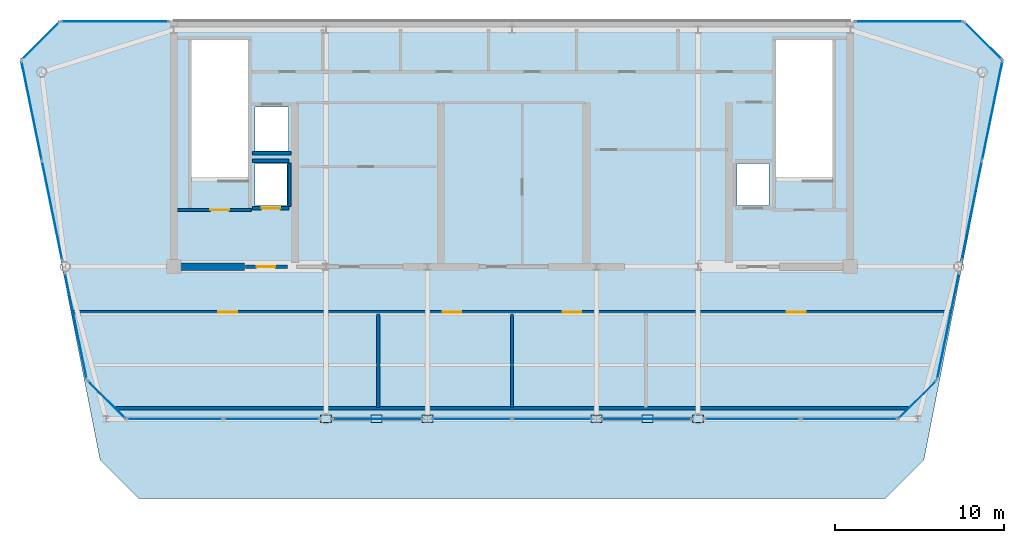
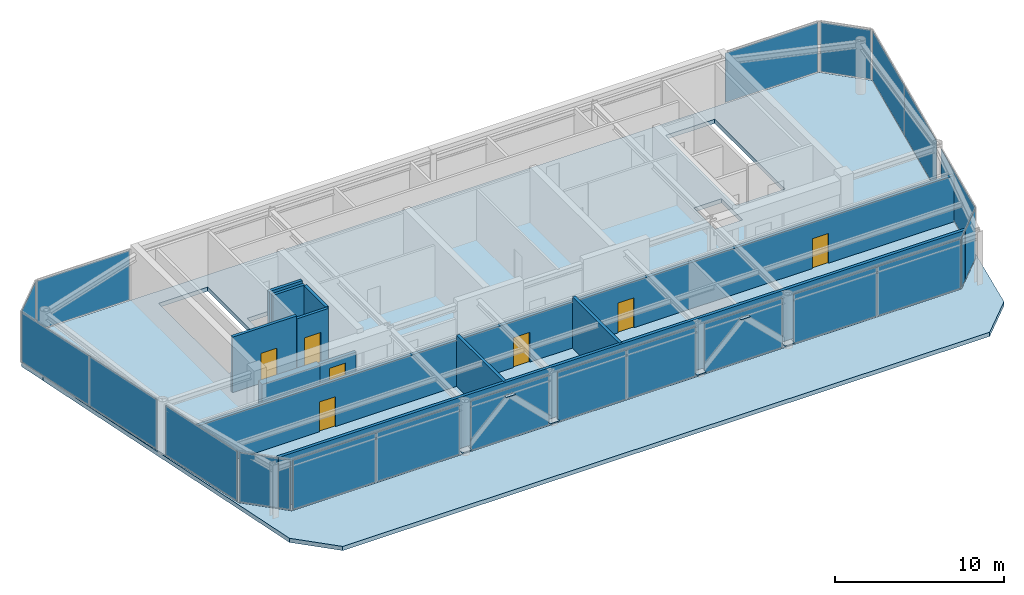
# One storey, part 5 of 7: 26 plates, 11 walls, 7 doors, 2 slabs, 7 openings, 15 elements without a shape of their own.
"""IFC4 building model written with IfcOpenShell, lengths in metres."""

import ifcopenshell
import ifcopenshell.guid

model = None  # the IFC model being written
_history = None  # IfcOwnerHistory: only IFC2X3 demands one
_inside = {}  # id of a spatial element -> (the spatial element, [elements in it])
_under = {}  # id of a project, library or spatial element -> (it, [spatial elements below it])
_declared = {}  # id of a project -> (the project, [libraries it declares])
_typed = {}  # id of a type object -> (the type object, [elements of that type])
_made_of = {}  # id of a material, layer set ... -> (it, [elements and type objects made of it])


def new_model(schema):
    """Start an empty IFC model of exactly this schema.

    Asked for "IFC4X3", IfcOpenShell would pick the latest addendum, in which some entities
    have other attributes; the version numbers below select the first issue.
    IFC2X3 requires an IfcOwnerHistory on every rooted entity: one is made here for all.
    """
    global model, _history
    if schema == "IFC4X3":
        model = ifcopenshell.file(schema_version=(4, 3, 0, 0))
    else:
        model = ifcopenshell.file(schema=schema)
    _inside.clear()
    _under.clear()
    _declared.clear()
    _typed.clear()
    _made_of.clear()
    _history = None
    if model.schema == "IFC2X3":
        org = make("IfcOrganization", Name="unknown")
        user = make(
            "IfcPersonAndOrganization",
            ThePerson=make("IfcPerson", FamilyName="unknown"),
            TheOrganization=org,
        )
        app = make(
            "IfcApplication",
            ApplicationDeveloper=org,
            Version="unknown",
            ApplicationFullName="unknown",
            ApplicationIdentifier="unknown",
        )
        _history = make(
            "IfcOwnerHistory",
            OwningUser=user,
            OwningApplication=app,
            ChangeAction="ADDED",
            CreationDate=0,
        )
    return model


def make(cls, **values):
    """One entity of the class cls with the attributes given. An attribute that is None is left unset."""
    return model.create_entity(
        cls, **{name: value for name, value in values.items() if value is not None}
    )


def rooted(cls, **values):
    """An entity with a GlobalId (a new one), such as an element, a storey or a relation."""
    return make(cls, GlobalId=ifcopenshell.guid.new(), OwnerHistory=_history, **values)


def si_unit(unit_type, name, prefix=None):
    """IfcSIUnit, for example si_unit("LENGTHUNIT", "METRE", prefix="MILLI")."""
    return make("IfcSIUnit", UnitType=unit_type, Prefix=prefix, Name=name)


def assignment(units):
    """IfcUnitAssignment: the units of a project."""
    return None if units is None else make("IfcUnitAssignment", Units=units)


def point(xyz):
    """IfcCartesianPoint."""
    return None if xyz is None else make("IfcCartesianPoint", Coordinates=xyz)


def direction(xyz):
    """IfcDirection."""
    return None if xyz is None else make("IfcDirection", DirectionRatios=xyz)


def frame(location, z_axis=None, x_axis=None):
    """IfcAxis2Placement3D, a coordinate frame: its origin and axes. An axis left out is left unset."""
    return make(
        "IfcAxis2Placement3D",
        Location=point(location),
        Axis=direction(z_axis),
        RefDirection=direction(x_axis),
    )


def frame_2d(location, x_axis=None):
    """IfcAxis2Placement2D, a coordinate frame in the plane: its origin and x axis."""
    return make(
        "IfcAxis2Placement2D", Location=point(location), RefDirection=direction(x_axis)
    )


def origin():
    """The frame at (0, 0, 0) with its axes left unset."""
    return frame((0.0, 0.0, 0.0))


def origin_2d():
    """The frame at (0, 0) in the plane with its x axis left unset."""
    return frame_2d((0.0, 0.0))


def place(relative_to, where):
    """IfcLocalPlacement: puts the frame where relative to a parent placement (None: the world)."""
    return make(
        "IfcLocalPlacement", PlacementRelTo=relative_to, RelativePlacement=where
    )


def context(
    kind, dimensions, precision=None, world=None, true_north=None, identifier=None
):
    """IfcGeometricRepresentationContext, for example the 3D "Model" context."""
    return make(
        "IfcGeometricRepresentationContext",
        ContextIdentifier=identifier,
        ContextType=kind,
        CoordinateSpaceDimension=dimensions,
        Precision=precision,
        WorldCoordinateSystem=world,
        TrueNorth=true_north,
    )


def subcontext(parent, identifier, kind, view, scale=None):
    """IfcGeometricRepresentationSubContext, for example "Body" below "Model"."""
    return make(
        "IfcGeometricRepresentationSubContext",
        ContextIdentifier=identifier,
        ContextType=kind,
        ParentContext=parent,
        TargetScale=scale,
        TargetView=view,
    )


def project(units=None, contexts=None):
    """IfcProject with its units and contexts."""
    return rooted(
        "IfcProject",
        Name="project",
        RepresentationContexts=contexts,
        UnitsInContext=assignment(units),
    )


def spatial(cls, under=None, at=None, **own):
    """A site, building, storey or space (cls), placed at a placement, below another one or the project."""
    s = rooted(cls, ObjectPlacement=at, **own)
    if under is not None:
        _under.setdefault(under.id(), (under, []))[1].append(s)
    return s


def polyline(points):
    """IfcPolyline through the points."""
    return make("IfcPolyline", Points=[point(p) for p in points])


def profile(cls, at=None, kind="AREA", **sizes):
    """A parametric profile (cls). Its sizes go by their IFC names, for example OverallWidth=200.0."""
    return make(cls, ProfileType=kind, Position=at, **sizes)


def rectangle(**sizes):
    """IfcRectangleProfileDef."""
    return profile("IfcRectangleProfileDef", **sizes)


def outline(outer, holes=None, kind="AREA"):
    """IfcArbitraryClosedProfileDef: a profile drawn as a closed curve; with holes, ...WithVoids."""
    if holes is None:
        return make("IfcArbitraryClosedProfileDef", ProfileType=kind, OuterCurve=outer)
    return make(
        "IfcArbitraryProfileDefWithVoids",
        ProfileType=kind,
        OuterCurve=outer,
        InnerCurves=holes,
    )


def extrude(swept, where, along, depth):
    """IfcExtrudedAreaSolid: the profile swept, set in the frame where, extruded along a direction by depth."""
    return make(
        "IfcExtrudedAreaSolid",
        SweptArea=swept,
        Position=where,
        ExtrudedDirection=direction(along),
        Depth=depth,
    )


def shape(context_of_items, identifier, shape_type, items):
    """IfcShapeRepresentation: the items that make up one representation, for example the "Body"."""
    return make(
        "IfcShapeRepresentation",
        ContextOfItems=context_of_items,
        RepresentationIdentifier=identifier,
        RepresentationType=shape_type,
        Items=items,
    )


def source(mapping_origin, context_of_items, identifier, shape_type, items):
    """IfcRepresentationMap: a shape defined once, which mapped items show again and again."""
    return make(
        "IfcRepresentationMap",
        MappingOrigin=mapping_origin,
        MappedRepresentation=shape(context_of_items, identifier, shape_type, items),
    )


def transform(
    local_origin,
    x_axis=None,
    y_axis=None,
    z_axis=None,
    scale=None,
    scale2=None,
    scale3=None,
    uniform=True,
):
    """IfcCartesianTransformationOperator3D, or its non-uniform kind. x_axis, y_axis, z_axis: its Axis1, 2, 3."""
    if uniform:
        return make(
            "IfcCartesianTransformationOperator3D",
            Axis1=direction(x_axis),
            Axis2=direction(y_axis),
            LocalOrigin=point(local_origin),
            Scale=scale,
            Axis3=direction(z_axis),
        )
    return make(
        "IfcCartesianTransformationOperator3DnonUniform",
        Axis1=direction(x_axis),
        Axis2=direction(y_axis),
        LocalOrigin=point(local_origin),
        Scale=scale,
        Axis3=direction(z_axis),
        Scale2=scale2,
        Scale3=scale3,
    )


def mapped(mapping_source, mapping_target):
    """IfcMappedItem: shows the shape of a source again, moved by a transform."""
    return make(
        "IfcMappedItem", MappingSource=mapping_source, MappingTarget=mapping_target
    )


def material(Name=None, Category=None):
    """IfcMaterial."""
    return make("IfcMaterial", Name=Name, Category=Category)


def layer(
    of_material, thickness, ventilated=None, Name=None, Category=None, Priority=None
):
    """IfcMaterialLayer: one layer of a wall or slab, of a material (None: an air gap)."""
    return make(
        "IfcMaterialLayer",
        Material=of_material,
        LayerThickness=thickness,
        IsVentilated=ventilated,
        Name=Name,
        Category=Category,
        Priority=Priority,
    )


def layer_set(layers, Name=None):
    """IfcMaterialLayerSet."""
    return make("IfcMaterialLayerSet", MaterialLayers=layers, LayerSetName=Name)


def made_of(thing, what):
    """Note that an element or type object is made of a material, layer set ...; save() writes the relation."""
    if what is not None:
        _made_of.setdefault(what.id(), (what, []))[1].append(thing)
    return thing


def type_object(cls, material=None, **own):
    """A type object (cls), such as IfcWallType, which elements share."""
    return made_of(rooted(cls, **own), material)


def element(
    cls,
    number,
    at=None,
    inside=None,
    cuts=None,
    type_object=None,
    material=None,
    context=None,
    identifier="Body",
    shape_type=None,
    held_by="IfcProductDefinitionShape",
    body=None,
    shapes=None,
    **own,
):
    """One element of the class cls, such as IfcWall. Its Tag is "e" and its number.

    at: its placement. inside: the storey or other place that contains it. cuts: it is an
    opening in that element (IfcRelVoidsElement). A single representation is given by context,
    identifier, shape_type and body (its items); several are given by shapes. held_by: the class
    of the entity that holds the representations. save() writes the other relations.
    """
    e = rooted(cls, Tag="e%d" % number, ObjectPlacement=at, **own)
    if body is not None:
        shapes = [shape(context, identifier, shape_type, body)]
    if shapes is not None:
        e.Representation = make(held_by, Representations=shapes)
    if inside is not None:
        _inside.setdefault(inside.id(), (inside, []))[1].append(e)
    if cuts is not None:
        rooted(
            "IfcRelVoidsElement", RelatingBuildingElement=cuts, RelatedOpeningElement=e
        )
    if type_object is not None:
        _typed.setdefault(type_object.id(), (type_object, []))[1].append(e)
    return made_of(e, material)


def fill(opening, filler):
    """IfcRelFillsElement: the door or window that sits in an opening."""
    return rooted(
        "IfcRelFillsElement",
        RelatingOpeningElement=opening,
        RelatedBuildingElement=filler,
    )


def aggregate(whole, parts):
    """IfcRelAggregates: a whole, such as a stair, and the parts it consists of."""
    return rooted("IfcRelAggregates", RelatingObject=whole, RelatedObjects=parts)


def save(model, path):
    """Write the relations noted so far, then the file.

    IfcRelAggregates (storeys below a building ...), IfcRelContainedInSpatialStructure (elements
    in a storey), IfcRelDefinesByType, IfcRelAssociatesMaterial and IfcRelDeclares: one each for
    every whole, place, type object, material and project.
    """
    for whole, parts in _under.values():
        aggregate(whole, parts)
    for where, things in _inside.values():
        rooted(
            "IfcRelContainedInSpatialStructure",
            RelatedElements=things,
            RelatingStructure=where,
        )
    for kind, things in _typed.values():
        rooted("IfcRelDefinesByType", RelatedObjects=things, RelatingType=kind)
    for what, things in _made_of.values():
        rooted("IfcRelAssociatesMaterial", RelatedObjects=things, RelatingMaterial=what)
    for by, libraries in _declared.values():
        rooted("IfcRelDeclares", RelatingContext=by, RelatedDefinitions=libraries)
    model.write(path)


model = new_model("IFC4")

# Units and contexts
model_context = context("Model", 3, precision=1e-05, world=origin(), true_north=direction((0.0, 1.0)))
body_context = subcontext(model_context, "Body", "Model", "MODEL_VIEW")
ifc_project = project(units=[si_unit("LENGTHUNIT", "METRE"), si_unit("AREAUNIT", "SQUARE_METRE"), si_unit("VOLUMEUNIT", "CUBIC_METRE"), si_unit("PLANEANGLEUNIT", "RADIAN"), si_unit("MASSUNIT", "GRAM", prefix="KILO")], contexts=[model_context])

# Site, building, storey
site_placement = place(None, origin())
site = spatial("IfcSite", under=ifc_project, at=site_placement, CompositionType="ELEMENT")
building_placement = place(site_placement, origin())
building = spatial("IfcBuilding", under=site, at=building_placement, Name="Vaeldorn Concourse Tower", CompositionType="ELEMENT")
storey_placement = place(building_placement, frame((0.0, 0.0, 312.800048828125)))
storey = spatial("IfcBuildingStorey", under=building, at=storey_placement, Name="L80", CompositionType="ELEMENT", Elevation=312.800048828125)

# Slabs
ifc_material_1 = material(Name="Concrete C40/50", Category="concrete")
ifc_layer_1 = layer(ifc_material_1, 0.300048828125)
ifc_layer_set_1 = layer_set([ifc_layer_1], Name="Concrete C40/50")
slab_type_1 = type_object("IfcSlabType", Name="SL-CROWN-ROOF", PredefinedType="ROOF", material=ifc_layer_set_1)
slab_1_placement = place(storey_placement, frame((0.0, 0.0, -0.300048828125)))
element("IfcSlab", 1, at=slab_1_placement, inside=storey, type_object=slab_type_1, Name="Stepped Crown Terrace Roof Slab L80", PredefinedType="ROOF", context=body_context, shape_type="SweptSolid", body=[
    extrude(outline(polyline([(62.62255859375, 46.785400390625), (59.13720703125, 29.797119140625), (59.13671875, 29.795654296875), (59.13623046875, 29.794189453125), (59.1357421875, 29.79296875), (59.135009765625, 29.79150390625), (59.134033203125, 29.79052734375), (59.133056640625, 29.789306640625), (56.8330078125, 27.489501953125), (56.83203125, 27.48828125), (56.830810546875, 27.487548828125), (56.82958984375, 27.48681640625), (56.828125, 27.486083984375), (56.826904296875, 27.485595703125), (56.825439453125, 27.4853515625), (56.823974609375, 27.485107421875), (56.822509765625, 27.485107421875), (11.177490234375, 27.485107421875), (11.176025390625, 27.485107421875), (11.174560546875, 27.4853515625), (11.173095703125, 27.485595703125), (11.171875, 27.486083984375), (11.17041015625, 27.48681640625), (11.169189453125, 27.487548828125), (11.16796875, 27.48828125), (11.1669921875, 27.489501953125), (8.866943359375, 29.789306640625), (8.865966796875, 29.79052734375), (8.864990234375, 29.79150390625), (8.8642578125, 29.79296875), (8.86376953125, 29.794189453125), (8.86328125, 29.795654296875), (8.86279296875, 29.797119140625), (5.37744140625, 46.785400390625), (9.653076171875, 25.10009765625), (11.952880859375, 22.800048828125), (56.047119140625, 22.800048828125), (58.346923828125, 25.10009765625), (62.62255859375, 46.785400390625)])), origin(), (0.0, 0.0, 1.0), 0.300048828125),
])
ifc_layer_2 = layer(ifc_material_1, 0.260009765625)
ifc_layer_set_2 = layer_set([ifc_layer_2], Name="Concrete C40/50")
slab_type_2 = type_object("IfcSlabType", Name="SL-TRN-260", PredefinedType="FLOOR", material=ifc_layer_set_2)
slab_2_placement = place(storey_placement, frame((0.0, 0.0, -0.300048828125)))
element("IfcSlab", 2, at=slab_2_placement, inside=storey, type_object=slab_type_2, Name="Structural Floor Slab L80", PredefinedType="FLOOR", context=body_context, shape_type="SweptSolid", body=[
    extrude(outline(polyline([(11.177490234375, 27.5), (56.822509765625, 27.5), (59.12255859375, 29.800048828125), (63.0, 48.699951171875), (60.699951171875, 51.0), (7.300048828125, 51.0), (5.0, 48.699951171875), (8.87744140625, 29.800048828125), (11.177490234375, 27.5)]), holes=[polyline([(18.39990234375, 41.60009765625), (18.39990234375, 49.89990234375), (15.050048828125, 49.89990234375), (15.050048828125, 41.60009765625), (18.39990234375, 41.60009765625)]), polyline([(52.949951171875, 41.60009765625), (52.949951171875, 49.89990234375), (49.60009765625, 49.89990234375), (49.60009765625, 41.60009765625), (52.949951171875, 41.60009765625)]), polyline([(18.800048828125, 43.35009765625), (20.800048828125, 43.35009765625), (20.800048828125, 45.949951171875), (18.800048828125, 45.949951171875), (18.800048828125, 43.35009765625)]), polyline([(18.800048828125, 40.10009765625), (20.699951171875, 40.10009765625), (20.699951171875, 42.60009765625), (18.800048828125, 42.60009765625), (18.800048828125, 40.10009765625)]), polyline([(47.300048828125, 40.10009765625), (49.199951171875, 40.10009765625), (49.199951171875, 42.60009765625), (47.300048828125, 42.60009765625), (47.300048828125, 40.10009765625)])]), origin(), (0.0, 0.0, 1.0), 0.300048828125),
])

# Plates
ifc_material_2 = material(Name="Steel S460", Category="steel")
ifc_layer_3 = layer(ifc_material_2, 0.034912109375)
ifc_layer_set_3 = layer_set([ifc_layer_3], Name="Steel S460")
plate_type_1 = type_object("IfcPlateType", Name="PL-GUSSET-KN1", PredefinedType="USERDEFINED", material=ifc_layer_set_3)
shared_shape_1 = source(origin(), body_context, "Body", "SweptSolid", [
    extrude(rectangle(XDim=0.64990234375, YDim=0.449951171875, at=origin_2d()), origin(), (0.0, 0.0, 1.0), 0.034912109375),
])
for number, where, z_axis, x_axis, name in (
    (3, (23.0, 27.5, 0.232421875), (0.0, 0.0, 1.0), (1.0, 0.0, 0.0), "Structural Brace Connection Gusset L80-01"),
    (4, (26.0, 27.5, 3.1826171875), (0.0, 0.0, 1.0), (1.0, 0.0, 0.0), "Structural Brace Connection Gusset L80-02"),
    (5, (29.0, 27.5, 0.232421875), (0.0, 0.0, 1.0), (1.0, 0.0, 0.0), "Structural Brace Connection Gusset L80-03"),
    (6, (39.0, 27.5, 0.232421875), (0.0, 0.0, 1.0), (1.0, 0.0, 0.0), "Structural Brace Connection Gusset L80-04"),
    (7, (42.0, 27.5, 3.1826171875), (0.0, 0.0, 1.0), (1.0, 0.0, 0.0), "Structural Brace Connection Gusset L80-05"),
    (8, (45.0, 27.5, 0.232421875), (0.0, 0.0, 1.0), (1.0, 0.0, 0.0), "Structural Brace Connection Gusset L80-06"),
):
    element("IfcPlate", number, at=place(storey_placement, frame(where, z_axis=z_axis, x_axis=x_axis)), inside=storey, type_object=plate_type_1, Name=name, ObjectType="GUSSET PLATE", PredefinedType="USERDEFINED", context=body_context, shape_type="MappedRepresentation", body=[
        mapped(shared_shape_1, transform((0.0, 0.0, 0.0), scale=1.0)),
    ])

# Curtain wall, plates
ifc_material_3 = material(Name="Anodised Bronze Aluminium", Category="aluminium")
ifc_layer_4 = layer(ifc_material_3, 0.22998046875)
ifc_layer_set_4 = layer_set([ifc_layer_4], Name="Anodised Bronze Aluminium")
curtain_wall_type = type_object("IfcCurtainWallType", Name="CW-SYS-07", PredefinedType="NOTDEFINED", material=ifc_layer_set_4)
curtain_wall_1_placement = place(storey_placement, origin())
curtain_wall_1 = element("IfcCurtainWall", 9, at=curtain_wall_1_placement, inside=storey, type_object=curtain_wall_type, Name="Unitised Curtain Wall CW-L80-E01-1", PredefinedType="NOTDEFINED")
ifc_material_4 = material(Name="Bronze Fritted Spandrel Insulated Glass", Category="glass")
ifc_layer_5 = layer(ifc_material_4, 0.035888671875)
ifc_layer_set_5 = layer_set([ifc_layer_5], Name="Bronze Fritted Spandrel Insulated Glass")
plate_type_2 = type_object("IfcPlateType", Name="CWP-SPANDREL-36", PredefinedType="CURTAIN_PANEL", material=ifc_layer_set_5)
shared_shape_2 = source(origin(), body_context, "Body", "SweptSolid", [
    extrude(rectangle(XDim=5.641357421875, YDim=0.035888671875, at=origin_2d()), origin(), (0.0, 0.0, 1.0), 3.550048828125),
])
plate_1_placement = place(storey_placement, frame((14.0732421875, 27.5, 0.07470703125), z_axis=(0.0, 0.0, 1.0), x_axis=(1.0, 0.0, 0.0)))
plate_1 = element("IfcPlate", 10, at=plate_1_placement, type_object=plate_type_2, Name="CW-07 panel 1.1", PredefinedType="CURTAIN_PANEL", context=body_context, shape_type="MappedRepresentation", body=[
    mapped(shared_shape_2, transform((0.0, 0.0, 0.0), scale=1.0)),
])
plate_2_placement = place(storey_placement, frame((19.789306640625, 27.5, 0.07470703125), z_axis=(0.0, 0.0, 1.0), x_axis=(1.0, 0.0, 0.0)))
plate_2 = element("IfcPlate", 11, at=plate_2_placement, type_object=plate_type_2, Name="CW-07 panel 2.1", PredefinedType="CURTAIN_PANEL", context=body_context, shape_type="MappedRepresentation", body=[
    mapped(shared_shape_2, transform((0.0, 0.0, 0.0), scale=1.0)),
])
aggregate(curtain_wall_1, [plate_1, plate_2])

curtain_wall_2_placement = place(storey_placement, origin())
curtain_wall_2 = element("IfcCurtainWall", 12, at=curtain_wall_2_placement, inside=storey, type_object=curtain_wall_type, Name="Unitised Curtain Wall CW-L80-E01-5", PredefinedType="NOTDEFINED")
plate_3_placement = place(storey_placement, frame((48.210693359375, 27.5, 0.07470703125), z_axis=(0.0, 0.0, 1.0), x_axis=(1.0, 0.0, 0.0)))
plate_3 = element("IfcPlate", 13, at=plate_3_placement, type_object=plate_type_2, Name="CW-07 panel 1.1", PredefinedType="CURTAIN_PANEL", context=body_context, shape_type="MappedRepresentation", body=[
    mapped(shared_shape_2, transform((0.0, 0.0, 0.0), scale=1.0)),
])
plate_4_placement = place(storey_placement, frame((53.9267578125, 27.5, 0.07470703125), z_axis=(0.0, 0.0, 1.0), x_axis=(1.0, 0.0, 0.0)))
plate_4 = element("IfcPlate", 14, at=plate_4_placement, type_object=plate_type_2, Name="CW-07 panel 2.1", PredefinedType="CURTAIN_PANEL", context=body_context, shape_type="MappedRepresentation", body=[
    mapped(shared_shape_2, transform((0.0, 0.0, 0.0), scale=1.0)),
])
aggregate(curtain_wall_2, [plate_3, plate_4])

# Curtain wall, plate
curtain_wall_3_placement = place(storey_placement, origin())
curtain_wall_3 = element("IfcCurtainWall", 15, at=curtain_wall_3_placement, inside=storey, type_object=curtain_wall_type, Name="Unitised Curtain Wall CW-L80-E01-2", PredefinedType="NOTDEFINED")
shared_shape_3 = source(origin(), body_context, "Body", "SweptSolid", [
    extrude(rectangle(XDim=5.325927734375, YDim=0.035888671875, at=origin_2d()), origin(), (0.0, 0.0, 1.0), 3.550048828125),
])
plate_5_placement = place(storey_placement, frame((26.052978515625, 27.5, 0.07470703125), z_axis=(0.0, 0.0, 1.0), x_axis=(1.0, 0.0, 0.0)))
plate_5 = element("IfcPlate", 16, at=plate_5_placement, type_object=plate_type_2, Name="CW-07 panel 1.1", PredefinedType="CURTAIN_PANEL", context=body_context, shape_type="MappedRepresentation", body=[
    mapped(shared_shape_3, transform((0.0, 0.0, 0.0), scale=1.0)),
])
aggregate(curtain_wall_3, [plate_5])

curtain_wall_4_placement = place(storey_placement, origin())
curtain_wall_4 = element("IfcCurtainWall", 17, at=curtain_wall_4_placement, inside=storey, type_object=curtain_wall_type, Name="Unitised Curtain Wall CW-L80-E01-4", PredefinedType="NOTDEFINED")
plate_6_placement = place(storey_placement, frame((41.947021484375, 27.5, 0.07470703125), z_axis=(0.0, 0.0, 1.0), x_axis=(1.0, 0.0, 0.0)))
plate_6 = element("IfcPlate", 18, at=plate_6_placement, type_object=plate_type_2, Name="CW-07 panel 1.1", PredefinedType="CURTAIN_PANEL", context=body_context, shape_type="MappedRepresentation", body=[
    mapped(shared_shape_3, transform((0.0, 0.0, 0.0), scale=1.0)),
])
aggregate(curtain_wall_4, [plate_6])

# Curtain wall, plates
curtain_wall_5_placement = place(storey_placement, origin())
curtain_wall_5 = element("IfcCurtainWall", 19, at=curtain_wall_5_placement, inside=storey, type_object=curtain_wall_type, Name="Unitised Curtain Wall CW-L80-E01-3", PredefinedType="NOTDEFINED")
shared_shape_4 = source(origin(), body_context, "Body", "SweptSolid", [
    extrude(rectangle(XDim=4.678466796875, YDim=0.035888671875, at=origin_2d()), origin(), (0.0, 0.0, 1.0), 3.550048828125),
])
plate_7_placement = place(storey_placement, frame((31.623291015625, 27.5, 0.07470703125), z_axis=(0.0, 0.0, 1.0), x_axis=(1.0, 0.0, 0.0)))
plate_7 = element("IfcPlate", 20, at=plate_7_placement, type_object=plate_type_2, Name="CW-07 panel 1.1", PredefinedType="CURTAIN_PANEL", context=body_context, shape_type="MappedRepresentation", body=[
    mapped(shared_shape_4, transform((0.0, 0.0, 0.0), scale=1.0)),
])
plate_8_placement = place(storey_placement, frame((36.376708984375, 27.5, 0.07470703125), z_axis=(0.0, 0.0, 1.0), x_axis=(1.0, 0.0, 0.0)))
plate_8 = element("IfcPlate", 21, at=plate_8_placement, type_object=plate_type_2, Name="CW-07 panel 2.1", PredefinedType="CURTAIN_PANEL", context=body_context, shape_type="MappedRepresentation", body=[
    mapped(shared_shape_4, transform((0.0, 0.0, 0.0), scale=1.0)),
])
aggregate(curtain_wall_5, [plate_7, plate_8])

# Curtain wall, plate
curtain_wall_6_placement = place(storey_placement, origin())
curtain_wall_6 = element("IfcCurtainWall", 22, at=curtain_wall_6_placement, inside=storey, type_object=curtain_wall_type, Name="Unitised Curtain Wall CW-L80-E02-1", PredefinedType="NOTDEFINED")
shared_shape_5 = source(origin(), body_context, "Body", "SweptSolid", [
    extrude(rectangle(XDim=3.102783203125, YDim=0.035888671875, at=origin_2d()), origin(), (0.0, 0.0, 1.0), 3.550048828125),
])
plate_9_placement = place(storey_placement, frame((57.972412109375, 28.64990234375, 0.07470703125), z_axis=(0.0, 0.0, 1.0), x_axis=(0.707106781187, 0.707106781187, 0.0)))
plate_9 = element("IfcPlate", 23, at=plate_9_placement, type_object=plate_type_2, Name="CW-07 panel 1.1", PredefinedType="CURTAIN_PANEL", context=body_context, shape_type="MappedRepresentation", body=[
    mapped(shared_shape_5, transform((0.0, 0.0, 0.0), scale=1.0)),
])
aggregate(curtain_wall_6, [plate_9])

curtain_wall_7_placement = place(storey_placement, origin())
curtain_wall_7 = element("IfcCurtainWall", 24, at=curtain_wall_7_placement, inside=storey, type_object=curtain_wall_type, Name="Unitised Curtain Wall CW-L80-E04-1", PredefinedType="NOTDEFINED")
plate_10_placement = place(storey_placement, frame((61.85009765625, 49.85009765625, 0.07470703125), z_axis=(0.0, 0.0, 1.0), x_axis=(-0.707106781187, 0.707106781187, 0.0)))
plate_10 = element("IfcPlate", 25, at=plate_10_placement, type_object=plate_type_2, Name="CW-07 panel 1.1", PredefinedType="CURTAIN_PANEL", context=body_context, shape_type="MappedRepresentation", body=[
    mapped(shared_shape_5, transform((0.0, 0.0, 0.0), scale=1.0)),
])
aggregate(curtain_wall_7, [plate_10])

curtain_wall_8_placement = place(storey_placement, origin())
curtain_wall_8 = element("IfcCurtainWall", 26, at=curtain_wall_8_placement, inside=storey, type_object=curtain_wall_type, Name="Unitised Curtain Wall CW-L80-E06-1", PredefinedType="NOTDEFINED")
plate_11_placement = place(storey_placement, frame((6.14990234375, 49.85009765625, 0.07470703125), z_axis=(0.0, 0.0, 1.0), x_axis=(-0.707106781187, -0.707106781187, 0.0)))
plate_11 = element("IfcPlate", 27, at=plate_11_placement, type_object=plate_type_2, Name="CW-07 panel 1.1", PredefinedType="CURTAIN_PANEL", context=body_context, shape_type="MappedRepresentation", body=[
    mapped(shared_shape_5, transform((0.0, 0.0, 0.0), scale=1.0)),
])
aggregate(curtain_wall_8, [plate_11])

curtain_wall_9_placement = place(storey_placement, origin())
curtain_wall_9 = element("IfcCurtainWall", 28, at=curtain_wall_9_placement, inside=storey, type_object=curtain_wall_type, Name="Unitised Curtain Wall CW-L80-E08-1", PredefinedType="NOTDEFINED")
plate_12_placement = place(storey_placement, frame((10.027587890625, 28.64990234375, 0.07470703125), z_axis=(0.0, 0.0, 1.0), x_axis=(0.707106781187, -0.707106781187, 0.0)))
plate_12 = element("IfcPlate", 29, at=plate_12_placement, type_object=plate_type_2, Name="CW-07 panel 1.1", PredefinedType="CURTAIN_PANEL", context=body_context, shape_type="MappedRepresentation", body=[
    mapped(shared_shape_5, transform((0.0, 0.0, 0.0), scale=1.0)),
])
aggregate(curtain_wall_9, [plate_12])

curtain_wall_10_placement = place(storey_placement, origin())
curtain_wall_10 = element("IfcCurtainWall", 30, at=curtain_wall_10_placement, inside=storey, type_object=curtain_wall_type, Name="Unitised Curtain Wall CW-L80-E03-1", PredefinedType="NOTDEFINED")
shared_shape_6 = source(origin(), body_context, "Body", "SweptSolid", [
    extrude(rectangle(XDim=6.367919921875, YDim=0.035888671875, at=origin_2d()), origin(), (0.0, 0.0, 1.0), 3.550048828125),
])
plate_13_placement = place(storey_placement, frame((59.77734375, 32.992431640625, 0.07470703125), z_axis=(0.0, 0.0, 1.0), x_axis=(0.200967171457, 0.979597976721, 0.0)))
plate_13 = element("IfcPlate", 31, at=plate_13_placement, type_object=plate_type_2, Name="CW-07 panel 1.1", PredefinedType="CURTAIN_PANEL", context=body_context, shape_type="MappedRepresentation", body=[
    mapped(shared_shape_6, transform((0.0, 0.0, 0.0), scale=1.0)),
])
aggregate(curtain_wall_10, [plate_13])

curtain_wall_11_placement = place(storey_placement, origin())
curtain_wall_11 = element("IfcCurtainWall", 32, at=curtain_wall_11_placement, inside=storey, type_object=curtain_wall_type, Name="Unitised Curtain Wall CW-L80-E07-2", PredefinedType="NOTDEFINED")
plate_14_placement = place(storey_placement, frame((8.22265625, 32.992431640625, 0.07470703125), z_axis=(0.0, 0.0, 1.0), x_axis=(0.200967171457, -0.979597976721, 0.0)))
plate_14 = element("IfcPlate", 33, at=plate_14_placement, type_object=plate_type_2, Name="CW-07 panel 1.1", PredefinedType="CURTAIN_PANEL", context=body_context, shape_type="MappedRepresentation", body=[
    mapped(shared_shape_6, transform((0.0, 0.0, 0.0), scale=1.0)),
])
aggregate(curtain_wall_11, [plate_14])

# Curtain wall, plates
curtain_wall_12_placement = place(storey_placement, origin())
curtain_wall_12 = element("IfcCurtainWall", 34, at=curtain_wall_12_placement, inside=storey, type_object=curtain_wall_type, Name="Unitised Curtain Wall CW-L80-E03-2", PredefinedType="NOTDEFINED")
shared_shape_7 = source(origin(), body_context, "Body", "SweptSolid", [
    extrude(rectangle(XDim=5.953857421875, YDim=0.035888671875, at=origin_2d()), origin(), (0.0, 0.0, 1.0), 3.550048828125),
])
plate_15_placement = place(storey_placement, frame((61.175048828125, 39.8046875, 0.07470703125), z_axis=(0.0, 0.0, 1.0), x_axis=(0.20097192824, 0.979597000842, 0.0)))
plate_15 = element("IfcPlate", 35, at=plate_15_placement, type_object=plate_type_2, Name="CW-07 panel 1.1", PredefinedType="CURTAIN_PANEL", context=body_context, shape_type="MappedRepresentation", body=[
    mapped(shared_shape_7, transform((0.0, 0.0, 0.0), scale=1.0)),
])
plate_16_placement = place(storey_placement, frame((62.38671875, 45.71044921875, 0.07470703125), z_axis=(0.0, 0.0, 1.0), x_axis=(0.20097192824, 0.979597000842, 0.0)))
plate_16 = element("IfcPlate", 36, at=plate_16_placement, type_object=plate_type_2, Name="CW-07 panel 2.1", PredefinedType="CURTAIN_PANEL", context=body_context, shape_type="MappedRepresentation", body=[
    mapped(shared_shape_7, transform((0.0, 0.0, 0.0), scale=1.0)),
])
aggregate(curtain_wall_12, [plate_15, plate_16])

curtain_wall_13_placement = place(storey_placement, origin())
curtain_wall_13 = element("IfcCurtainWall", 37, at=curtain_wall_13_placement, inside=storey, type_object=curtain_wall_type, Name="Unitised Curtain Wall CW-L80-E07-1", PredefinedType="NOTDEFINED")
plate_17_placement = place(storey_placement, frame((5.61328125, 45.71044921875, 0.07470703125), z_axis=(0.0, 0.0, 1.0), x_axis=(0.20097192824, -0.979597000842, 0.0)))
plate_17 = element("IfcPlate", 38, at=plate_17_placement, type_object=plate_type_2, Name="CW-07 panel 1.1", PredefinedType="CURTAIN_PANEL", context=body_context, shape_type="MappedRepresentation", body=[
    mapped(shared_shape_7, transform((0.0, 0.0, 0.0), scale=1.0)),
])
plate_18_placement = place(storey_placement, frame((6.824951171875, 39.8046875, 0.07470703125), z_axis=(0.0, 0.0, 1.0), x_axis=(0.20097192824, -0.979597000842, 0.0)))
plate_18 = element("IfcPlate", 39, at=plate_18_placement, type_object=plate_type_2, Name="CW-07 panel 2.1", PredefinedType="CURTAIN_PANEL", context=body_context, shape_type="MappedRepresentation", body=[
    mapped(shared_shape_7, transform((0.0, 0.0, 0.0), scale=1.0)),
])
aggregate(curtain_wall_13, [plate_17, plate_18])

# Curtain wall, plate
curtain_wall_14_placement = place(storey_placement, origin())
curtain_wall_14 = element("IfcCurtainWall", 40, at=curtain_wall_14_placement, inside=storey, type_object=curtain_wall_type, Name="Unitised Curtain Wall CW-L80-E05-1", PredefinedType="NOTDEFINED")
shared_shape_8 = source(origin(), body_context, "Body", "SweptSolid", [
    extrude(rectangle(XDim=6.330078125, YDim=0.035888671875, at=origin_2d()), origin(), (0.0, 0.0, 1.0), 3.550048828125),
])
plate_19_placement = place(storey_placement, frame((57.4599609375, 51.0, 0.07470703125), z_axis=(0.0, 0.0, 1.0), x_axis=(-1.0, 0.0, 0.0)))
plate_19 = element("IfcPlate", 41, at=plate_19_placement, type_object=plate_type_2, Name="CW-07 panel 1.1", PredefinedType="CURTAIN_PANEL", context=body_context, shape_type="MappedRepresentation", body=[
    mapped(shared_shape_8, transform((0.0, 0.0, 0.0), scale=1.0)),
])
aggregate(curtain_wall_14, [plate_19])

curtain_wall_15_placement = place(storey_placement, origin())
curtain_wall_15 = element("IfcCurtainWall", 42, at=curtain_wall_15_placement, inside=storey, type_object=curtain_wall_type, Name="Unitised Curtain Wall CW-L80-E05-2", PredefinedType="NOTDEFINED")
plate_20_placement = place(storey_placement, frame((10.5400390625, 51.0, 0.07470703125), z_axis=(0.0, 0.0, 1.0), x_axis=(-1.0, 0.0, 0.0)))
plate_20 = element("IfcPlate", 43, at=plate_20_placement, type_object=plate_type_2, Name="CW-07 panel 1.1", PredefinedType="CURTAIN_PANEL", context=body_context, shape_type="MappedRepresentation", body=[
    mapped(shared_shape_8, transform((0.0, 0.0, 0.0), scale=1.0)),
])
aggregate(curtain_wall_15, [plate_20])

# Wall
ifc_material_5 = material(Name="Concrete C50/60", Category="concrete")
ifc_layer_6 = layer(ifc_material_5, 0.449951171875)
ifc_layer_set_6 = layer_set([ifc_layer_6], Name="Concrete C50/60")
wall_type_1 = type_object("IfcWallType", Name="WL-CORE-450", PredefinedType="SHEAR", material=ifc_layer_set_6)
wall_1_placement = place(storey_placement, frame((14.2451171875, 36.5, 0.0), z_axis=(0.0, 0.0, 1.0), x_axis=(1.0, 0.0, 0.0)))
element("IfcWall", 44, at=wall_1_placement, inside=storey, type_object=wall_type_1, Name="Rear Core Shear Wall L80 S1", PredefinedType="SHEAR", context=body_context, shape_type="SweptSolid", body=[
    extrude(rectangle(XDim=3.954833984375, YDim=0.449951171875, at=frame_2d((1.9775390625, 0.0))), origin(), (0.0, 0.0, 1.0), 2.699951171875),
])

# Wall, opening, door
ifc_layer_7 = layer(ifc_material_5, 0.199951171875)
ifc_layer_set_7 = layer_set([ifc_layer_7], Name="Concrete C50/60")
wall_type_2 = type_object("IfcWallType", Name="WL-SHAFT-200", PredefinedType="SOLIDWALL", material=ifc_layer_set_7)
wall_2_placement = place(storey_placement, frame((14.22509765625, 39.85009765625, 0.0), z_axis=(0.0, 0.0, 1.0), x_axis=(1.0, 0.0, 0.0)))
wall_2 = element("IfcWall", 45, at=wall_2_placement, inside=storey, type_object=wall_type_2, Name="Stair Shaft Wall CW-L80-ST-1-S", PredefinedType="SOLIDWALL", context=body_context, shape_type="SweptSolid", body=[
    extrude(rectangle(XDim=4.375, YDim=0.199951171875, at=frame_2d((2.1875, 0.0))), origin(), (0.0, 0.0, 1.0), 4.0),
])
opening_1_placement = place(wall_2_placement, frame((1.949951171875, 0.0, 0.0)))
opening_1 = element("IfcOpeningElement", 46, at=opening_1_placement, cuts=wall_2, Name="Opening D-01", PredefinedType="OPENING", context=body_context, shape_type="SweptSolid", body=[
    extrude(rectangle(XDim=1.10009765625, YDim=2.14990234375, at=frame_2d((0.550048828125, 1.074951171875))), frame((0.0, 0.10986328125, 0.0), z_axis=(0.0, -1.0, 0.0), x_axis=(1.0, 0.0, 0.0)), (0.0, 0.0, 1.0), 0.219970703125),
])
ifc_material_6 = material(Name="Fire-Rated Timber and Steel Leaf", Category="steel")
door_type_1 = type_object("IfcDoorType", Name="DR-FD60-1100", OperationType="NOTDEFINED", PredefinedType="DOOR", material=ifc_material_6)
shared_shape_9 = source(origin(), body_context, "Body", "SweptSolid", [
    extrude(rectangle(XDim=1.10009765625, YDim=2.14990234375, at=frame_2d((0.550048828125, 1.074951171875))), frame((0.0, 0.02490234375, 0.0), z_axis=(0.0, -1.0, 0.0), x_axis=(1.0, 0.0, 0.0)), (0.0, 0.0, 1.0), 0.050048828125),
])
door_1_placement = place(opening_1_placement, origin())
door_1 = element("IfcDoor", 47, at=door_1_placement, inside=storey, type_object=door_type_1, Name="Interior Door DR-L80-ST-1", OperationType="SINGLE_SWING_LEFT", OverallHeight=2.14990234375, OverallWidth=1.10009765625, PredefinedType="DOOR", context=body_context, shape_type="MappedRepresentation", body=[
    mapped(shared_shape_9, transform((0.0, 0.0, 0.0), scale=1.0)),
])
fill(opening_1, door_1)

wall_3_placement = place(storey_placement, frame((18.25, 36.5, 0.0), z_axis=(0.0, 0.0, 1.0), x_axis=(1.0, 0.0, 0.0)))
wall_3 = element("IfcWall", 48, at=wall_3_placement, inside=storey, type_object=wall_type_2, Name="Interior Wall CW-L80-FF1S", PredefinedType="SOLIDWALL", context=body_context, shape_type="SweptSolid", body=[
    extrude(rectangle(XDim=2.469970703125, YDim=0.199951171875, at=frame_2d((1.23486328125, 0.0))), origin(), (0.0, 0.0, 1.0), 2.68994140625),
])
opening_2_placement = place(wall_3_placement, frame((0.64990234375, 0.0, 0.0)))
opening_2 = element("IfcOpeningElement", 49, at=opening_2_placement, cuts=wall_3, Name="Opening D-01", PredefinedType="OPENING", context=body_context, shape_type="SweptSolid", body=[
    extrude(rectangle(XDim=1.10009765625, YDim=2.14990234375, at=frame_2d((0.550048828125, 1.074951171875))), frame((0.0, 0.10986328125, 0.0), z_axis=(0.0, -1.0, 0.0), x_axis=(1.0, 0.0, 0.0)), (0.0, 0.0, 1.0), 0.219970703125),
])
door_2_placement = place(opening_2_placement, origin())
door_2 = element("IfcDoor", 50, at=door_2_placement, inside=storey, type_object=door_type_1, Name="Interior Door DR-L80-FF1E", OperationType="SINGLE_SWING_RIGHT", OverallHeight=2.14990234375, OverallWidth=1.10009765625, PredefinedType="DOOR", context=body_context, shape_type="MappedRepresentation", body=[
    mapped(shared_shape_9, transform((0.0, 0.0, 0.0), scale=1.0)),
])
fill(opening_2, door_2)

# Wall
wall_4_placement = place(storey_placement, frame((18.669921875, 43.199951171875, 0.0), z_axis=(0.0, 0.0, 1.0), x_axis=(1.0, 0.0, 0.0)))
element("IfcWall", 51, at=wall_4_placement, inside=storey, type_object=wall_type_2, Name="Interior Wall CW-L80-LFB-LF-SV1", PredefinedType="SOLIDWALL", context=body_context, shape_type="SweptSolid", body=[
    extrude(rectangle(XDim=2.260009765625, YDim=0.199951171875, at=frame_2d((1.1298828125, 0.0))), origin(), (0.0, 0.0, 1.0), 3.699951171875),
])

# Wall, opening, door
wall_5_placement = place(storey_placement, frame((18.669921875, 39.949951171875, 0.0), z_axis=(0.0, 0.0, 1.0), x_axis=(1.0, 0.0, 0.0)))
wall_5 = element("IfcWall", 52, at=wall_5_placement, inside=storey, type_object=wall_type_2, Name="Interior Wall CW-L80-LF-LF-FF1", PredefinedType="SOLIDWALL", context=body_context, shape_type="SweptSolid", body=[
    extrude(rectangle(XDim=2.16015625, YDim=0.199951171875, at=frame_2d((1.080078125, 0.0))), origin(), (0.0, 0.0, 1.0), 3.699951171875),
])
opening_3_placement = place(wall_5_placement, frame((0.530029296875, 0.0, 0.0)))
opening_3 = element("IfcOpeningElement", 53, at=opening_3_placement, cuts=wall_5, Name="Opening LD-1", PredefinedType="OPENING", context=body_context, shape_type="SweptSolid", body=[
    extrude(rectangle(XDim=1.10009765625, YDim=2.14990234375, at=frame_2d((0.550048828125, 1.074951171875))), frame((0.0, 0.10986328125, 0.0), z_axis=(0.0, -1.0, 0.0), x_axis=(1.0, 0.0, 0.0)), (0.0, 0.0, 1.0), 0.219970703125),
])
door_type_2 = type_object("IfcDoorType", Name="DR-LIFT-SLIDE-1100", OperationType="DOUBLE_DOOR_SLIDING", PredefinedType="DOOR", material=ifc_material_3)
door_3_placement = place(opening_3_placement, origin())
door_3 = element("IfcDoor", 54, at=door_3_placement, inside=storey, type_object=door_type_2, Name="Lift Landing Door LD-L80-LF-FF1", OperationType="DOUBLE_DOOR_SLIDING", OverallHeight=2.14990234375, OverallWidth=1.10009765625, PredefinedType="DOOR", context=body_context, shape_type="MappedRepresentation", body=[
    mapped(shared_shape_9, transform((0.0, 0.0, 0.0), scale=1.0)),
])
fill(opening_3, door_3)

# Walls
wall_6_placement = place(storey_placement, frame((18.669921875, 42.75, 0.0), z_axis=(0.0, 0.0, 1.0), x_axis=(1.0, 0.0, 0.0)))
element("IfcWall", 55, at=wall_6_placement, inside=storey, type_object=wall_type_2, Name="Interior Wall CW-L80-LFB-LF-FF1", PredefinedType="SOLIDWALL", context=body_context, shape_type="SweptSolid", body=[
    extrude(rectangle(XDim=2.16015625, YDim=0.199951171875, at=frame_2d((1.080078125, 0.0))), origin(), (0.0, 0.0, 1.0), 3.699951171875),
])
wall_7_placement = place(storey_placement, frame((20.85009765625, 40.070068359375, 0.0), z_axis=(0.0, 0.0, 1.0), x_axis=(0.0, 1.0, 0.0)))
element("IfcWall", 56, at=wall_7_placement, inside=storey, type_object=wall_type_2, Name="Interior Wall CW-L80-LFE-LF-FF1", PredefinedType="SOLIDWALL", context=body_context, shape_type="SweptSolid", body=[
    extrude(rectangle(XDim=2.559814453125, YDim=0.199951171875, at=frame_2d((1.27978515625, 0.0))), origin(), (0.0, 0.0, 1.0), 3.699951171875),
])

# Wall, openings, doors
wall_8_placement = place(storey_placement, frame((8.096923828125, 33.800048828125, 0.0), z_axis=(0.0, 0.0, 1.0), x_axis=(1.0, 0.0, 0.0)))
wall_8 = element("IfcWall", 57, at=wall_8_placement, inside=storey, type_object=wall_type_2, Name="Interior Wall PW-L80-PCOR", PredefinedType="SOLIDWALL", context=body_context, shape_type="SweptSolid", body=[
    extrude(rectangle(XDim=51.80615234375, YDim=0.199951171875, at=frame_2d((25.903076171875, 0.0))), origin(), (0.0, 0.0, 1.0), 3.329833984375),
])
opening_4_placement = place(wall_8_placement, frame((8.552001953125, 0.0, 0.0)))
opening_4 = element("IfcOpeningElement", 58, at=opening_4_placement, cuts=wall_8, Name="Opening D-01", PredefinedType="OPENING", context=body_context, shape_type="SweptSolid", body=[
    extrude(rectangle(XDim=1.10009765625, YDim=2.14990234375, at=frame_2d((0.550048828125, 1.074951171875))), frame((0.0, 0.10986328125, 0.0), z_axis=(0.0, -1.0, 0.0), x_axis=(1.0, 0.0, 0.0)), (0.0, 0.0, 1.0), 0.219970703125),
])
opening_5_placement = place(wall_8_placement, frame((21.802978515625, 0.0, 0.0)))
opening_5 = element("IfcOpeningElement", 59, at=opening_5_placement, cuts=wall_8, Name="Opening D-01", PredefinedType="OPENING", context=body_context, shape_type="SweptSolid", body=[
    extrude(rectangle(XDim=1.10009765625, YDim=2.14990234375, at=frame_2d((0.550048828125, 1.074951171875))), frame((0.0, 0.10986328125, 0.0), z_axis=(0.0, -1.0, 0.0), x_axis=(1.0, 0.0, 0.0)), (0.0, 0.0, 1.0), 0.219970703125),
])
opening_6_placement = place(wall_8_placement, frame((28.903076171875, 0.0, 0.0)))
opening_6 = element("IfcOpeningElement", 60, at=opening_6_placement, cuts=wall_8, Name="Opening D-01", PredefinedType="OPENING", context=body_context, shape_type="SweptSolid", body=[
    extrude(rectangle(XDim=1.10009765625, YDim=2.14990234375, at=frame_2d((0.550048828125, 1.074951171875))), frame((0.0, 0.10986328125, 0.0), z_axis=(0.0, -1.0, 0.0), x_axis=(1.0, 0.0, 0.0)), (0.0, 0.0, 1.0), 0.219970703125),
])
opening_7_placement = place(wall_8_placement, frame((42.155029296875, 0.0, 0.0)))
opening_7 = element("IfcOpeningElement", 61, at=opening_7_placement, cuts=wall_8, Name="Opening D-01", PredefinedType="OPENING", context=body_context, shape_type="SweptSolid", body=[
    extrude(rectangle(XDim=1.10009765625, YDim=2.14990234375, at=frame_2d((0.550048828125, 1.074951171875))), frame((0.0, 0.10986328125, 0.0), z_axis=(0.0, -1.0, 0.0), x_axis=(1.0, 0.0, 0.0)), (0.0, 0.0, 1.0), 0.219970703125),
])
door_4_placement = place(opening_4_placement, origin())
door_4 = element("IfcDoor", 62, at=door_4_placement, inside=storey, type_object=door_type_1, Name="Interior Door DR-L80-PL1", OperationType="SINGLE_SWING_LEFT", OverallHeight=2.14990234375, OverallWidth=1.10009765625, PredefinedType="DOOR", context=body_context, shape_type="MappedRepresentation", body=[
    mapped(shared_shape_9, transform((0.0, 0.0, 0.0), scale=1.0)),
])
fill(opening_4, door_4)
door_5_placement = place(opening_5_placement, origin())
door_5 = element("IfcDoor", 63, at=door_5_placement, inside=storey, type_object=door_type_1, Name="Interior Door DR-L80-PL2", OperationType="SINGLE_SWING_RIGHT", OverallHeight=2.14990234375, OverallWidth=1.10009765625, PredefinedType="DOOR", context=body_context, shape_type="MappedRepresentation", body=[
    mapped(shared_shape_9, transform((0.0, 0.0, 0.0), scale=1.0)),
])
fill(opening_5, door_5)
door_6_placement = place(opening_6_placement, origin())
door_6 = element("IfcDoor", 64, at=door_6_placement, inside=storey, type_object=door_type_1, Name="Interior Door DR-L80-PL3", OperationType="SINGLE_SWING_LEFT", OverallHeight=2.14990234375, OverallWidth=1.10009765625, PredefinedType="DOOR", context=body_context, shape_type="MappedRepresentation", body=[
    mapped(shared_shape_9, transform((0.0, 0.0, 0.0), scale=1.0)),
])
fill(opening_6, door_6)
door_7_placement = place(opening_7_placement, origin())
door_7 = element("IfcDoor", 65, at=door_7_placement, inside=storey, type_object=door_type_1, Name="Interior Door DR-L80-PL4", OperationType="SINGLE_SWING_RIGHT", OverallHeight=2.14990234375, OverallWidth=1.10009765625, PredefinedType="DOOR", context=body_context, shape_type="MappedRepresentation", body=[
    mapped(shared_shape_9, transform((0.0, 0.0, 0.0), scale=1.0)),
])
fill(opening_7, door_7)

# Walls
wall_9_placement = place(storey_placement, frame((10.577392578125, 28.139892578125, 0.0), z_axis=(0.0, 0.0, 1.0), x_axis=(1.0, 0.0, 0.0)))
element("IfcWall", 66, at=wall_9_placement, inside=storey, type_object=wall_type_2, Name="Interior Wall PW-L80-CSN", PredefinedType="SOLIDWALL", context=body_context, shape_type="SweptSolid", body=[
    extrude(rectangle(XDim=46.84521484375, YDim=0.199951171875, at=frame_2d((23.422607421875, 0.0))), origin(), (0.0, 0.0, 1.0), 3.699951171875),
])
for number, where, z_axis, x_axis, name in (
    (67, (26.10009765625, 28.179931640625, 0.0), (0.0, 0.0, 1.0), (0.0, 1.0, 0.0), "Interior Wall PW-L80-PD1"),
    (68, (34.0, 28.179931640625, 0.0), (0.0, 0.0, 1.0), (0.0, 1.0, 0.0), "Interior Wall PW-L80-PD2"),
):
    element("IfcWall", number, at=place(storey_placement, frame(where, z_axis=z_axis, x_axis=x_axis)), inside=storey, type_object=wall_type_2, Name=name, PredefinedType="SOLIDWALL", context=body_context, shape_type="SweptSolid", body=[
        extrude(rectangle(XDim=5.52001953125, YDim=0.199951171875, at=frame_2d((2.760009765625, 0.0))), origin(), (0.0, 0.0, 1.0), 3.699951171875),
    ])

save(model, "model.ifc")
